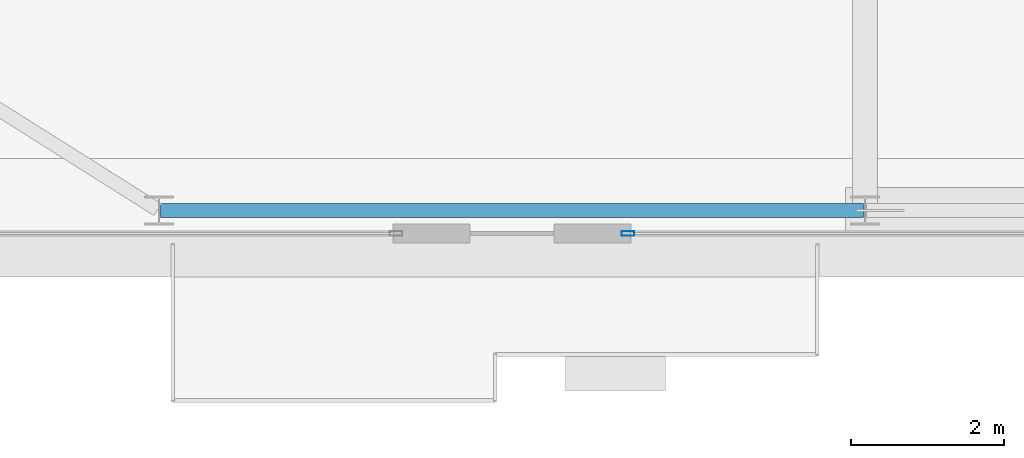
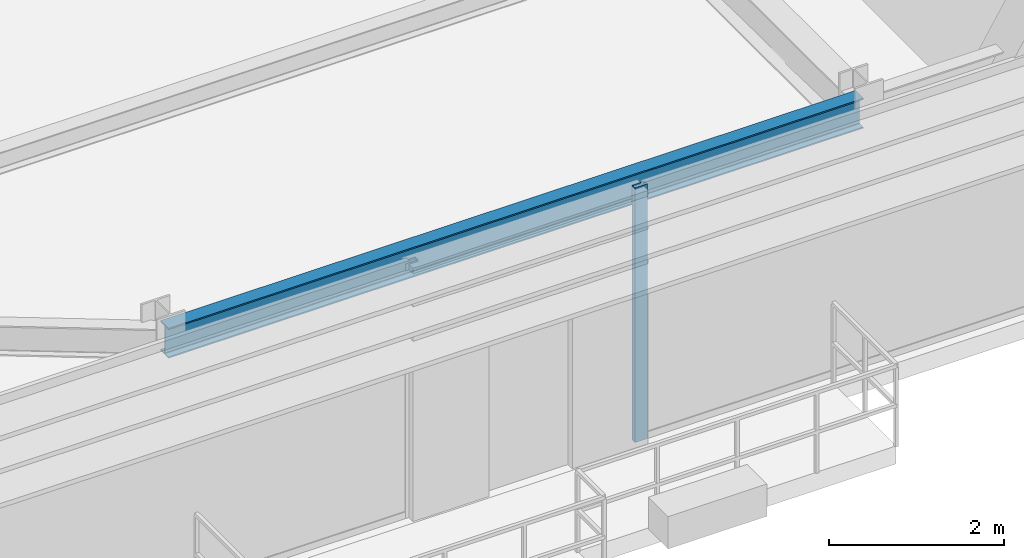
# One storey, part 6 of 34: 1 beam, 1 member, 1 element without a shape of its own.
"""IFC4 building model written with IfcOpenShell, lengths in metres."""

from ifc_helpers import new_model, si_unit, direction, frame, origin, origin_2d, place, context, subcontext, project, spatial, hollow_rectangle, i_section, extrude, source, transform, mapped, material, layer, layer_set, material_profile, profile_set, type_object, type_shapes, element, aggregate, save


model = new_model("IFC4")

# Units and contexts
model_context = context("Model", 3, precision=1e-05, world=origin(), true_north=direction((0.0, 1.0)))
body_context = subcontext(model_context, "Body", "Model", "MODEL_VIEW")
ifc_project = project(units=[si_unit("LENGTHUNIT", "METRE"), si_unit("AREAUNIT", "SQUARE_METRE"), si_unit("VOLUMEUNIT", "CUBIC_METRE"), si_unit("PLANEANGLEUNIT", "RADIAN"), si_unit("MASSUNIT", "GRAM", prefix="KILO")], contexts=[model_context])

# Site, building, storey
site_placement = place(None, origin())
site = spatial("IfcSite", under=ifc_project, at=site_placement, CompositionType="ELEMENT")
building_placement = place(site_placement, origin())
building = spatial("IfcBuilding", under=site, at=building_placement, Name="Varnel Quay Broadcast Tower", CompositionType="ELEMENT")
storey_placement = place(building_placement, frame((0.0, 0.0, 176.199951171875)))
storey = spatial("IfcBuildingStorey", under=building, at=storey_placement, Name="L43", CompositionType="ELEMENT", Elevation=176.199951171875)

# Beam
ifc_material_1 = material(Name="Structural Steel CSA G40.21 350W", Category="steel")
ifc_material_profile_1 = material_profile(ifc_material_1, i_section(OverallWidth=0.180908203125, OverallDepth=0.4169921875, WebThickness=0.010986328125, FlangeThickness=0.018310546875, FilletRadius=0.011962890625, at=origin_2d()), Name="W410X85")
ifc_profile_set_1 = profile_set([ifc_material_profile_1], Name="Structural Steel CSA G40.21 350W")
beam_type = type_object("IfcBeamType", Name="Beam_W410X85", PredefinedType="SPANDREL", material=ifc_profile_set_1)
shared_shape_1 = source(origin(), body_context, "Body", "SweptSolid", [
    extrude(i_section(OverallWidth=0.180908203125, OverallDepth=0.4169921875, WebThickness=0.010986328125, FlangeThickness=0.018310546875, FilletRadius=0.011962890625, at=origin_2d()), origin(), (0.0, 0.0, 1.0), 9.159912109375),
])
type_shapes(beam_type, [shared_shape_1])
beam_placement = place(storey_placement, frame((15.6201171875, 7.64990234375, 3.341552734375), z_axis=(1.0, 0.0, 0.0), x_axis=(0.0, 1.0, 0.0)))
element("IfcBeam", 1, at=beam_placement, inside=storey, type_object=beam_type, Name="L43 South Spandrel TC-S1-TC-S2", PredefinedType="SPANDREL", context=body_context, shape_type="MappedRepresentation", body=[
    mapped(shared_shape_1, transform((0.0, 0.0, 0.0), x_axis=(1.0, 0.0, 0.0), y_axis=(0.0, 1.0, 0.0), z_axis=(0.0, 0.0, 1.0), scale=1.0)),
])

# Curtain wall, member
ifc_material_2 = material(Name="Anodised Bronze Aluminium 6063-T6", Category="aluminium")
ifc_layer = layer(ifc_material_2, 0.18994140625, Name="Anodised Bronze Aluminium 6063-T6")
ifc_layer_set = layer_set([ifc_layer], Name="Anodised Bronze Aluminium 6063-T6")
curtain_wall_type = type_object("IfcCurtainWallType", Name="CW_UpperTower", PredefinedType="NOTDEFINED", material=ifc_layer_set)
curtain_wall_placement = place(storey_placement, origin())
curtain_wall = element("IfcCurtainWall", 2, at=curtain_wall_placement, inside=storey, type_object=curtain_wall_type, Name="L43 South Unitised Curtain Wall 2", PredefinedType="NOTDEFINED")
ifc_material_profile_2 = material_profile(ifc_material_2, hollow_rectangle(XDim=0.06494140625, YDim=0.1650390625, WallThickness=0.00341796875, at=origin_2d()), Name="ALU65X165X3.5")
ifc_profile_set_2 = profile_set([ifc_material_profile_2], Name="Anodised Bronze Aluminium 6063-T6")
member_type = type_object("IfcMemberType", Name="Mull_CWS-03", PredefinedType="MULLION", material=ifc_profile_set_2)
shared_shape_2 = source(origin(), body_context, "Body", "SweptSolid", [
    extrude(hollow_rectangle(XDim=0.06494140625, YDim=0.1650390625, WallThickness=0.00341796875, at=origin_2d()), origin(), (0.0, 0.0, 1.0), 3.550048828125),
])
type_shapes(member_type, [shared_shape_2])
member_placement = place(storey_placement, frame((21.71240234375, 7.35009765625, 0.0), z_axis=(0.0, 0.0, 1.0), x_axis=(0.0, 1.0, 0.0)))
member = element("IfcMember", 3, at=member_placement, type_object=member_type, Name="CWS-03 mullion 1", PredefinedType="MULLION", context=body_context, shape_type="MappedRepresentation", body=[
    mapped(shared_shape_2, transform((0.0, 0.0, 0.0), x_axis=(1.0, 0.0, 0.0), y_axis=(0.0, 1.0, 0.0), z_axis=(0.0, 0.0, 1.0), scale=1.0)),
])
aggregate(curtain_wall, [member])

save(model, "model.ifc")
